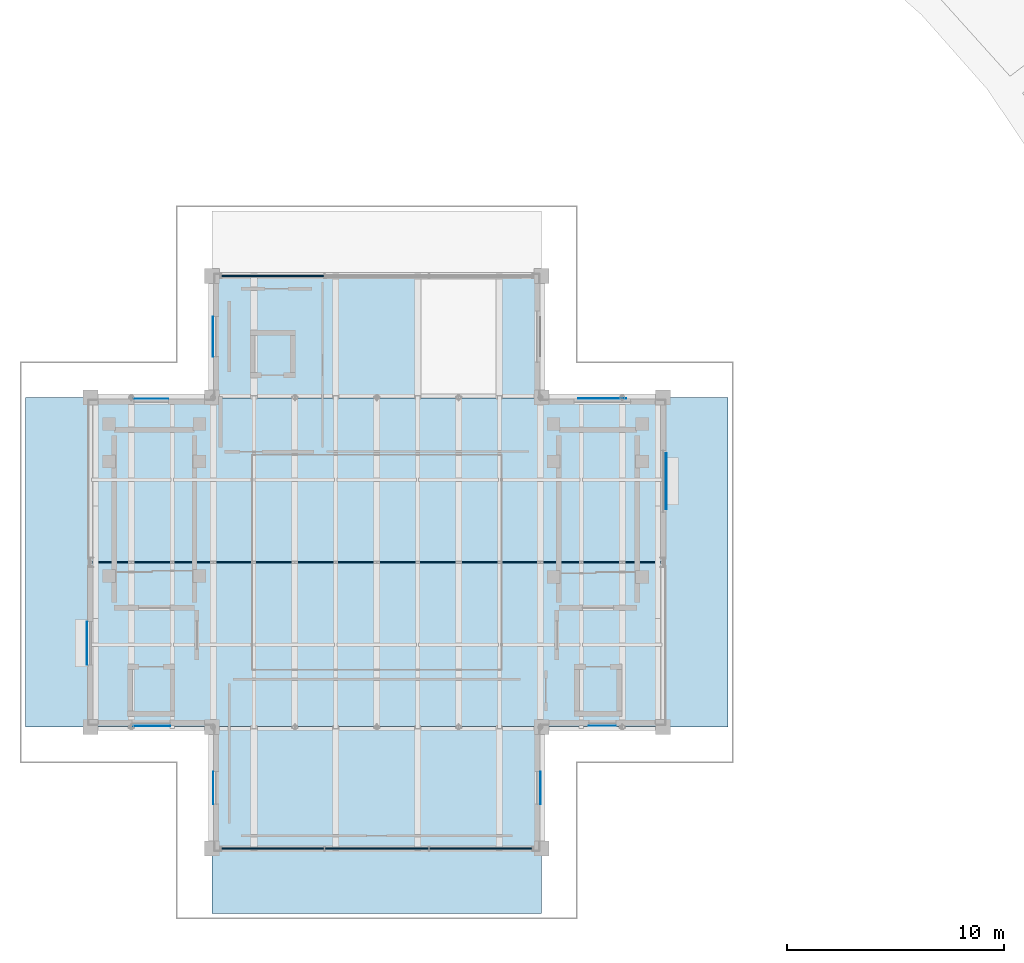
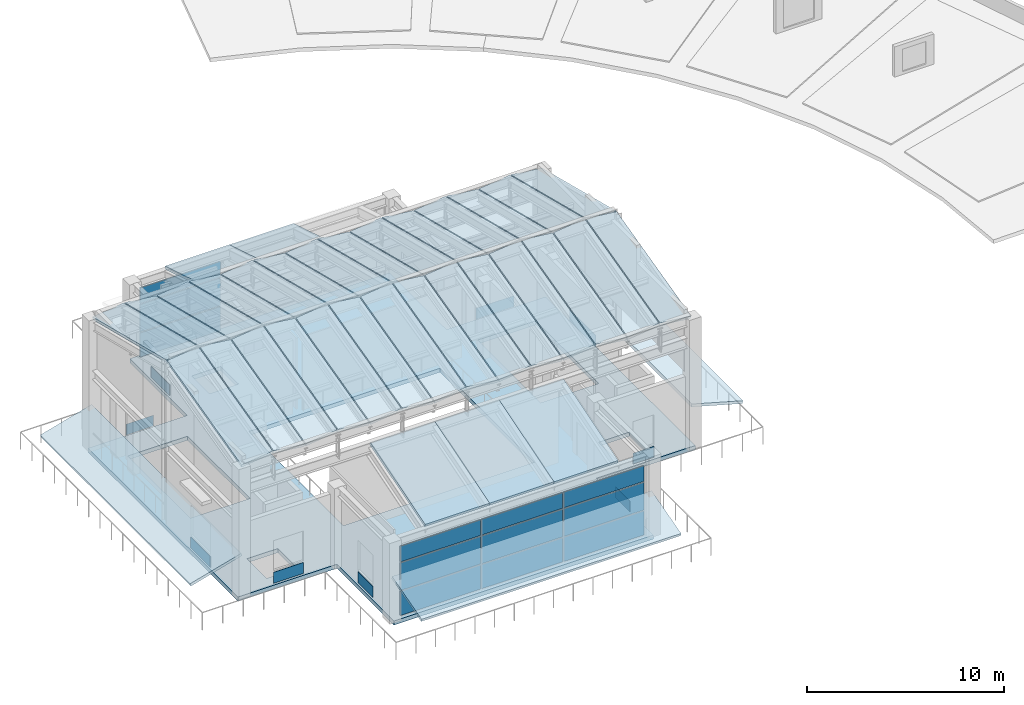
# One storey, part 4 of 11: 37 slabs, 21 plates, 2 elements without a shape of their own.
"""IFC4 building model written with IfcOpenShell, lengths in metres."""

from ifc_helpers import new_model, si_unit, direction, frame, origin, origin_2d, place, context, subcontext, project, spatial, polyline, rectangle, outline, extrude, material, layer, layer_set, type_object, element, aggregate, save


model = new_model("IFC4")

# Units and contexts
model_context = context("Model", 3, precision=1e-05, world=origin(), true_north=direction((0.0, 1.0)))
body_context = subcontext(model_context, "Body", "Model", "MODEL_VIEW")
ifc_project = project(units=[si_unit("LENGTHUNIT", "METRE"), si_unit("AREAUNIT", "SQUARE_METRE"), si_unit("VOLUMEUNIT", "CUBIC_METRE"), si_unit("PLANEANGLEUNIT", "RADIAN"), si_unit("MASSUNIT", "GRAM", prefix="KILO")], contexts=[model_context])

# Site, building, storey
site_placement = place(None, origin())
site = spatial("IfcSite", under=ifc_project, at=site_placement, CompositionType="ELEMENT")
building_placement = place(site_placement, origin())
building = spatial("IfcBuilding", under=site, at=building_placement, Name="Saryqyr Civic Hall", CompositionType="ELEMENT")
storey_placement = place(building_placement, frame((0.0, 0.0, 29.39990234375)))
storey = spatial("IfcBuildingStorey", under=building, at=storey_placement, Name="L07", CompositionType="ELEMENT", Elevation=29.39990234375)

# Curtain wall, plates
ifc_material_1 = material(Name="Anodised aluminium and triple low-E glass", Category="aluminium")
curtain_wall_type = type_object("IfcCurtainWallType", Name="ENV-CW-HVY-50", PredefinedType="NOTDEFINED", material=ifc_material_1)
curtain_wall_1_placement = place(storey_placement, origin())
curtain_wall_1 = element("IfcCurtainWall", 1, at=curtain_wall_1_placement, inside=storey, type_object=curtain_wall_type, Name="Curtain wall V1-CW-L07-05", PredefinedType="NOTDEFINED")
ifc_material_2 = material(Name="Acoustic laminated low-E glazing", Category="glass")
ifc_layer_1 = layer(ifc_material_2, 0.072021484375, Name="Acoustic laminated low-E glazing")
ifc_layer_set_1 = layer_set([ifc_layer_1], Name="Acoustic laminated low-E glazing")
plate_type_1 = type_object("IfcPlateType", Name="ENV-CW-PNL-52", PredefinedType="CURTAIN_PANEL", material=ifc_layer_set_1)
plate_1_placement = place(storey_placement, frame((52.2109375, 97.199951171875, 0.0703125), z_axis=(0.0, 0.0, 1.0), x_axis=(1.0, 0.0, 0.0)))
plate_1 = element("IfcPlate", 2, at=plate_1_placement, type_object=plate_type_1, Name="CW-50 panel 1.1", PredefinedType="CURTAIN_PANEL", context=body_context, shape_type="SweptSolid", body=[
    extrude(rectangle(XDim=4.70166015625, YDim=0.072021484375, at=origin_2d()), origin(), (0.0, 0.0, 1.0), 1.488037109375),
])
plate_2_placement = place(storey_placement, frame((52.2109375, 97.199951171875, 1.6279296875), z_axis=(0.0, 0.0, 1.0), x_axis=(1.0, 0.0, 0.0)))
plate_2 = element("IfcPlate", 3, at=plate_2_placement, type_object=plate_type_1, Name="CW-50 panel 1.2", PredefinedType="CURTAIN_PANEL", context=body_context, shape_type="SweptSolid", body=[
    extrude(rectangle(XDim=4.70166015625, YDim=0.072021484375, at=origin_2d()), origin(), (0.0, 0.0, 1.0), 1.699951171875),
])
plate_3_placement = place(storey_placement, frame((52.2109375, 97.199951171875, 3.398193359375), z_axis=(0.0, 0.0, 1.0), x_axis=(1.0, 0.0, 0.0)))
plate_3 = element("IfcPlate", 4, at=plate_3_placement, type_object=plate_type_1, Name="CW-50 panel 1.3", PredefinedType="CURTAIN_PANEL", context=body_context, shape_type="SweptSolid", body=[
    extrude(rectangle(XDim=4.70166015625, YDim=0.072021484375, at=origin_2d()), origin(), (0.0, 0.0, 1.0), 0.95703125),
])
aggregate(curtain_wall_1, [plate_1, plate_2, plate_3])

curtain_wall_2_placement = place(storey_placement, origin())
curtain_wall_2 = element("IfcCurtainWall", 5, at=curtain_wall_2_placement, inside=storey, type_object=curtain_wall_type, Name="Curtain wall V1-CW-L07-11", PredefinedType="NOTDEFINED")
plate_4_placement = place(storey_placement, frame((61.7890625, 70.800048828125, 0.0703125), z_axis=(0.0, 0.0, 1.0), x_axis=(-1.0, 0.0, 0.0)))
plate_4 = element("IfcPlate", 6, at=plate_4_placement, type_object=plate_type_1, Name="CW-50 panel 1.1", PredefinedType="CURTAIN_PANEL", context=body_context, shape_type="SweptSolid", body=[
    extrude(rectangle(XDim=4.70166015625, YDim=0.072021484375, at=origin_2d()), origin(), (0.0, 0.0, 1.0), 1.488037109375),
])
plate_5_placement = place(storey_placement, frame((61.7890625, 70.800048828125, 1.6279296875), z_axis=(0.0, 0.0, 1.0), x_axis=(-1.0, 0.0, 0.0)))
plate_5 = element("IfcPlate", 7, at=plate_5_placement, type_object=plate_type_1, Name="CW-50 panel 1.2", PredefinedType="CURTAIN_PANEL", context=body_context, shape_type="SweptSolid", body=[
    extrude(rectangle(XDim=4.70166015625, YDim=0.072021484375, at=origin_2d()), origin(), (0.0, 0.0, 1.0), 1.699951171875),
])
plate_6_placement = place(storey_placement, frame((61.7890625, 70.800048828125, 3.398193359375), z_axis=(0.0, 0.0, 1.0), x_axis=(-1.0, 0.0, 0.0)))
plate_6 = element("IfcPlate", 8, at=plate_6_placement, type_object=plate_type_1, Name="CW-50 panel 1.3", PredefinedType="CURTAIN_PANEL", context=body_context, shape_type="SweptSolid", body=[
    extrude(rectangle(XDim=4.70166015625, YDim=0.072021484375, at=origin_2d()), origin(), (0.0, 0.0, 1.0), 0.95703125),
])
plate_7_placement = place(storey_placement, frame((57.0, 70.800048828125, 0.0703125), z_axis=(0.0, 0.0, 1.0), x_axis=(-1.0, 0.0, 0.0)))
plate_7 = element("IfcPlate", 9, at=plate_7_placement, type_object=plate_type_1, Name="CW-50 panel 2.1", PredefinedType="CURTAIN_PANEL", context=body_context, shape_type="SweptSolid", body=[
    extrude(rectangle(XDim=4.736572265625, YDim=0.072021484375, at=origin_2d()), origin(), (0.0, 0.0, 1.0), 1.488037109375),
])
plate_8_placement = place(storey_placement, frame((57.0, 70.800048828125, 1.6279296875), z_axis=(0.0, 0.0, 1.0), x_axis=(-1.0, 0.0, 0.0)))
plate_8 = element("IfcPlate", 10, at=plate_8_placement, type_object=plate_type_1, Name="CW-50 panel 2.2", PredefinedType="CURTAIN_PANEL", context=body_context, shape_type="SweptSolid", body=[
    extrude(rectangle(XDim=4.736572265625, YDim=0.072021484375, at=origin_2d()), origin(), (0.0, 0.0, 1.0), 1.699951171875),
])
plate_9_placement = place(storey_placement, frame((57.0, 70.800048828125, 3.398193359375), z_axis=(0.0, 0.0, 1.0), x_axis=(-1.0, 0.0, 0.0)))
plate_9 = element("IfcPlate", 11, at=plate_9_placement, type_object=plate_type_1, Name="CW-50 panel 2.3", PredefinedType="CURTAIN_PANEL", context=body_context, shape_type="SweptSolid", body=[
    extrude(rectangle(XDim=4.736572265625, YDim=0.072021484375, at=origin_2d()), origin(), (0.0, 0.0, 1.0), 0.95703125),
])
plate_10_placement = place(storey_placement, frame((52.2109375, 70.800048828125, 0.0703125), z_axis=(0.0, 0.0, 1.0), x_axis=(-1.0, 0.0, 0.0)))
plate_10 = element("IfcPlate", 12, at=plate_10_placement, type_object=plate_type_1, Name="CW-50 panel 3.1", PredefinedType="CURTAIN_PANEL", context=body_context, shape_type="SweptSolid", body=[
    extrude(rectangle(XDim=4.70166015625, YDim=0.072021484375, at=origin_2d()), origin(), (0.0, 0.0, 1.0), 1.488037109375),
])
plate_11_placement = place(storey_placement, frame((52.2109375, 70.800048828125, 1.6279296875), z_axis=(0.0, 0.0, 1.0), x_axis=(-1.0, 0.0, 0.0)))
plate_11 = element("IfcPlate", 13, at=plate_11_placement, type_object=plate_type_1, Name="CW-50 panel 3.2", PredefinedType="CURTAIN_PANEL", context=body_context, shape_type="SweptSolid", body=[
    extrude(rectangle(XDim=4.70166015625, YDim=0.072021484375, at=origin_2d()), origin(), (0.0, 0.0, 1.0), 1.699951171875),
])
plate_12_placement = place(storey_placement, frame((52.2109375, 70.800048828125, 3.398193359375), z_axis=(0.0, 0.0, 1.0), x_axis=(-1.0, 0.0, 0.0)))
plate_12 = element("IfcPlate", 14, at=plate_12_placement, type_object=plate_type_1, Name="CW-50 panel 3.3", PredefinedType="CURTAIN_PANEL", context=body_context, shape_type="SweptSolid", body=[
    extrude(rectangle(XDim=4.70166015625, YDim=0.072021484375, at=origin_2d()), origin(), (0.0, 0.0, 1.0), 0.95703125),
])
aggregate(curtain_wall_2, [plate_4, plate_5, plate_6, plate_7, plate_8, plate_9, plate_10, plate_11, plate_12])

# Plates
ifc_material_3 = material(Name="Warm brushed brass-anodised aluminium", Category="aluminium")
ifc_layer_2 = layer(ifc_material_3, 0.008056640625, Name="Warm brushed brass-anodised aluminium")
ifc_layer_set_2 = layer_set([ifc_layer_2], Name="Warm brushed brass-anodised aluminium")
plate_type_2 = type_object("IfcPlateType", Name="ENV-PLT-BRASS-1", PredefinedType="SHEET", material=ifc_layer_set_2)
plate_13_placement = place(storey_placement, frame((49.462890625, 73.60009765625, 0.080078125), z_axis=(0.0, 0.0, 1.0), x_axis=(0.0, 1.0, 0.0)))
element("IfcPlate", 15, at=plate_13_placement, inside=storey, type_object=plate_type_2, Name="Warm brass spandrel cladding sheet L07-00", PredefinedType="SHEET", context=body_context, shape_type="SweptSolid", body=[
    extrude(rectangle(XDim=1.5, YDim=0.008056640625, at=origin_2d()), origin(), (0.0, 0.0, 1.0), 0.679931640625),
])
plate_14_placement = place(storey_placement, frame((46.60009765625, 91.537109375, 0.080078125), z_axis=(0.0, 0.0, 1.0), x_axis=(1.0, 0.0, 0.0)))
element("IfcPlate", 16, at=plate_14_placement, inside=storey, type_object=plate_type_2, Name="Warm brass spandrel cladding sheet L07-03", PredefinedType="SHEET", context=body_context, shape_type="SweptSolid", body=[
    extrude(rectangle(XDim=1.60009765625, YDim=0.008056640625, at=origin_2d()), origin(), (0.0, 0.0, 1.0), 0.679931640625),
])
plate_15_placement = place(storey_placement, frame((67.39990234375, 76.462890625, 0.080078125), z_axis=(0.0, 0.0, 1.0), x_axis=(-1.0, 0.0, 0.0)))
element("IfcPlate", 17, at=plate_15_placement, inside=storey, type_object=plate_type_2, Name="Warm brass spandrel cladding sheet L07-09", PredefinedType="SHEET", context=body_context, shape_type="SweptSolid", body=[
    extrude(rectangle(XDim=1.25, YDim=0.008056640625, at=origin_2d()), origin(), (0.0, 0.0, 1.0), 0.679931640625),
])
ifc_layer_3 = layer(ifc_material_3, 0.02001953125, Name="Warm brushed brass-anodised aluminium")
ifc_layer_set_3 = layer_set([ifc_layer_3], Name="Warm brushed brass-anodised aluminium")
plate_type_3 = type_object("IfcPlateType", Name="ENV-PLT-BRASS-2", PredefinedType="SHEET", material=ifc_layer_set_3)
plate_16_placement = place(storey_placement, frame((46.60009765625, 76.45703125, 0.080078125), z_axis=(0.0, 0.0, 1.0), x_axis=(-1.0, 0.0, 0.0)))
element("IfcPlate", 18, at=plate_16_placement, inside=storey, type_object=plate_type_3, Name="Warm brass spandrel cladding sheet L07-01", PredefinedType="SHEET", context=body_context, shape_type="SweptSolid", body=[
    extrude(rectangle(XDim=1.75, YDim=0.02001953125, at=origin_2d()), origin(), (0.0, 0.0, 1.0), 0.679931640625),
])
plate_17_placement = place(storey_placement, frame((49.45703125, 94.39990234375, 0.080078125), z_axis=(0.0, 0.0, 1.0), x_axis=(0.0, 1.0, 0.0)))
element("IfcPlate", 19, at=plate_17_placement, inside=storey, type_object=plate_type_3, Name="Warm brass spandrel cladding sheet L07-04", PredefinedType="SHEET", context=body_context, shape_type="SweptSolid", body=[
    extrude(rectangle(XDim=1.85009765625, YDim=0.02001953125, at=origin_2d()), origin(), (0.0, 0.0, 1.0), 0.679931640625),
])
plate_18_placement = place(storey_placement, frame((67.39990234375, 91.54296875, 0.080078125), z_axis=(0.0, 0.0, 1.0), x_axis=(1.0, 0.0, 0.0)))
element("IfcPlate", 20, at=plate_18_placement, inside=storey, type_object=plate_type_3, Name="Warm brass spandrel cladding sheet L07-07", PredefinedType="SHEET", context=body_context, shape_type="SweptSolid", body=[
    extrude(rectangle(XDim=2.199951171875, YDim=0.02001953125, at=origin_2d()), origin(), (0.0, 0.0, 1.0), 0.679931640625),
])
plate_19_placement = place(storey_placement, frame((64.54296875, 73.60009765625, 0.080078125), z_axis=(0.0, 0.0, 1.0), x_axis=(0.0, -1.0, 0.0)))
element("IfcPlate", 21, at=plate_19_placement, inside=storey, type_object=plate_type_3, Name="Warm brass spandrel cladding sheet L07-10", PredefinedType="SHEET", context=body_context, shape_type="SweptSolid", body=[
    extrude(rectangle(XDim=1.5, YDim=0.02001953125, at=origin_2d()), origin(), (0.0, 0.0, 1.0), 0.679931640625),
])
ifc_layer_4 = layer(ifc_material_3, 0.031982421875, Name="Warm brushed brass-anodised aluminium")
ifc_layer_set_4 = layer_set([ifc_layer_4], Name="Warm brushed brass-anodised aluminium")
plate_type_4 = type_object("IfcPlateType", Name="ENV-PLT-BRASS-3", PredefinedType="SHEET", material=ifc_layer_set_4)
plate_20_placement = place(storey_placement, frame((43.65087890625, 80.26708984375, 0.080078125), z_axis=(0.0, 0.0, 1.0), x_axis=(0.0, 1.0, 0.0)))
element("IfcPlate", 22, at=plate_20_placement, inside=storey, type_object=plate_type_4, Name="Warm brass spandrel cladding sheet L07-02", PredefinedType="SHEET", context=body_context, shape_type="SweptSolid", body=[
    extrude(rectangle(XDim=2.0, YDim=0.031982421875, at=origin_2d()), origin(), (0.0, 0.0, 1.0), 0.679931640625),
])
plate_21_placement = place(storey_placement, frame((70.34912109375, 87.73291015625, 0.080078125), z_axis=(0.0, 0.0, 1.0), x_axis=(0.0, -1.0, 0.0)))
element("IfcPlate", 23, at=plate_21_placement, inside=storey, type_object=plate_type_4, Name="Warm brass spandrel cladding sheet L07-08", PredefinedType="SHEET", context=body_context, shape_type="SweptSolid", body=[
    extrude(rectangle(XDim=2.60009765625, YDim=0.031982421875, at=origin_2d()), origin(), (0.0, 0.0, 1.0), 0.679931640625),
])

# Slabs
ifc_material_4 = material(Name="Concrete C35/45", Category="concrete")
ifc_layer_5 = layer(ifc_material_4, 0.25, Name="Concrete C35/45")
ifc_layer_set_5 = layer_set([ifc_layer_5], Name="Concrete C35/45")
slab_type_1 = type_object("IfcSlabType", Name="STR-SLB-FLR-250", PredefinedType="FLOOR", material=ifc_layer_set_5)
slab_1_placement = place(storey_placement, frame((0.0, 0.0, -0.25)))
element("IfcSlab", 24, at=slab_1_placement, inside=storey, type_object=slab_type_1, Name="Slab SLB-V1-L07", PredefinedType="FLOOR", context=body_context, shape_type="SweptSolid", body=[
    extrude(outline(polyline([(43.60009765625, 76.39990234375), (43.60009765625, 91.60009765625), (49.39990234375, 91.60009765625), (49.39990234375, 97.39990234375), (64.60009765625, 97.39990234375), (64.60009765625, 91.60009765625), (70.39990234375, 91.60009765625), (70.39990234375, 76.39990234375), (64.60009765625, 76.39990234375), (64.60009765625, 70.60009765625), (49.39990234375, 70.60009765625), (49.39990234375, 76.39990234375), (43.60009765625, 76.39990234375)]), holes=[polyline([(62.60009765625, 88.800048828125), (51.39990234375, 88.800048828125), (51.39990234375, 79.199951171875), (62.60009765625, 79.199951171875), (62.60009765625, 88.800048828125)]), polyline([(45.699951171875, 79.10009765625), (45.699951171875, 77.10009765625), (47.5, 77.10009765625), (47.5, 79.10009765625), (45.699951171875, 79.10009765625)]), polyline([(66.300048828125, 79.10009765625), (66.300048828125, 77.10009765625), (68.10009765625, 77.10009765625), (68.10009765625, 79.10009765625), (66.300048828125, 79.10009765625)]), polyline([(65.5, 83.60009765625), (68.89990234375, 83.60009765625), (68.89990234375, 90.0), (65.5, 90.0), (65.5, 83.60009765625)]), polyline([(45.0, 90.0), (45.0, 83.64990234375), (48.5, 83.64990234375), (48.5, 90.0), (45.0, 90.0)]), polyline([(53.050048828125, 94.5), (51.35009765625, 94.5), (51.35009765625, 92.699951171875), (53.050048828125, 92.699951171875), (53.050048828125, 94.5)])]), origin(), (0.0, 0.0, 1.0), 0.25),
])
ifc_material_5 = material(Name="Precast concrete C40/50", Category="concrete")
ifc_layer_6 = layer(ifc_material_5, 0.169921875, Name="Precast concrete C40/50")
ifc_layer_set_6 = layer_set([ifc_layer_6], Name="Precast concrete C40/50")
slab_type_2 = type_object("IfcSlabType", Name="STR-SLB-ROOF-170", PredefinedType="ROOF", material=ifc_layer_set_6)
for number, where, z_axis, x_axis, name in (
    (25, (49.39990234375, 67.800048828125, 1.800048828125), (0.0, -0.269656086049, 0.962956694383), (1.0, 0.0, 0.0), "Chamber ring-beam valley skirt roof S"),
    (26, (40.800048828125, 91.60009765625, 1.800048828125), (-0.269656086049, 0.0, 0.962956694383), (0.0, -1.0, 0.0), "Chamber ring-beam valley skirt roof W"),
    (27, (73.199951171875, 76.39990234375, 1.800048828125), (0.269656086049, 0.0, 0.962956694383), (0.0, 1.0, 0.0), "Chamber ring-beam valley skirt roof E"),
):
    element("IfcSlab", number, at=place(storey_placement, frame(where, z_axis=z_axis, x_axis=x_axis)), inside=storey, type_object=slab_type_2, Name=name, PredefinedType="ROOF", context=body_context, shape_type="SweptSolid", body=[
        extrude(outline(polyline([(0.0, 0.0), (15.2001953125, 0.0), (15.2001953125, 3.1154048956716305), (0.0, 3.1154048956716305), (0.0, 0.0)])), origin(), (0.0, 0.0, -1.0), 0.169921875),
    ])
ifc_layer_7 = layer(ifc_material_5, 0.18994140625, Name="Precast concrete C40/50")
ifc_layer_set_7 = layer_set([ifc_layer_7], Name="Precast concrete C40/50")
slab_type_3 = type_object("IfcSlabType", Name="STR-SLB-ROOF-190", PredefinedType="ROOF", material=ifc_layer_set_7)
slab_2_placement = place(storey_placement, frame((43.830078125, 76.429931640625, 8.080078125), z_axis=(-0.116108571598, -0.242699900121, 0.963128007111), x_axis=(0.992812134124, -1.5517026e-05, 0.119683190528)))
element("IfcSlab", 28, at=slab_2_placement, inside=storey, type_object=slab_type_3, Name="Chamber folded-plate roof slab SUW bay 1", PredefinedType="ROOF", context=body_context, shape_type="SweptSolid", body=[
    extrude(outline(polyline([(0.0, 0.0), (1.8388876205191749, 1.3877787807814457e-17), (2.0661862152603843, 7.772456565405475), (0.22726937521227175, 7.77239773796225), (0.0, 0.0)])), origin(), (0.0, 0.0, -1.0), 0.18994140625),
])
for number, where, z_axis, x_axis, name in (
    (29, (45.7158203125, 76.429931640625, 8.300048828125), (0.116108571598, -0.242699900121, 0.963128007111), (0.992812134124, 1.5517026e-05, -0.119683190528), "Chamber folded-plate roof slab SUE bay 1"),
    (30, (45.65576171875, 91.570068359375, 8.300048828125), (-0.116108571598, 0.242699900121, 0.963128007111), (-0.992812134124, -1.5517026e-05, -0.119683190528), "Chamber folded-plate roof slab NUW bay 1"),
):
    element("IfcSlab", number, at=place(storey_placement, frame(where, z_axis=z_axis, x_axis=x_axis)), inside=storey, type_object=slab_type_3, Name=name, PredefinedType="ROOF", context=body_context, shape_type="SweptSolid", body=[
        extrude(outline(polyline([(0.0, 0.0), (1.8388876205191749, -1.3877787807814457e-17), (1.611618245306903, 7.772397737962249), (-0.22729859474120925, 7.772456565405475), (0.0, 0.0)])), origin(), (0.0, 0.0, -1.0), 0.18994140625),
    ])
for number, where, z_axis, x_axis, name in (
    (31, (47.54150390625, 91.570068359375, 8.080078125), (0.116108571598, 0.242699900121, 0.963128007111), (-0.992812134124, 1.5517026e-05, 0.119683190528), "Chamber folded-plate roof slab NUE bay 1"),
    (32, (47.601318359375, 76.429931640625, 8.080078125), (-0.116108571598, -0.242699900121, 0.963128007111), (0.992812134124, -1.5517026e-05, 0.119683190528), "Chamber folded-plate roof slab SUW bay 2"),
):
    element("IfcSlab", number, at=place(storey_placement, frame(where, z_axis=z_axis, x_axis=x_axis)), inside=storey, type_object=slab_type_3, Name=name, PredefinedType="ROOF", context=body_context, shape_type="SweptSolid", body=[
        extrude(outline(polyline([(0.0, 0.0), (1.8388876205191749, 1.3877787807814457e-17), (2.0661862152603843, 7.772456565405475), (0.22726937521227175, 7.77239773796225), (0.0, 0.0)])), origin(), (0.0, 0.0, -1.0), 0.18994140625),
    ])
for number, where, z_axis, x_axis, name in (
    (33, (49.487060546875, 76.429931640625, 8.300048828125), (0.116108571598, -0.242699900121, 0.963128007111), (0.992812134124, 1.5517026e-05, -0.119683190528), "Chamber folded-plate roof slab SUE bay 2"),
    (34, (49.427001953125, 91.570068359375, 8.300048828125), (-0.116108571598, 0.242699900121, 0.963128007111), (-0.992812134124, -1.5517026e-05, -0.119683190528), "Chamber folded-plate roof slab NUW bay 2"),
):
    element("IfcSlab", number, at=place(storey_placement, frame(where, z_axis=z_axis, x_axis=x_axis)), inside=storey, type_object=slab_type_3, Name=name, PredefinedType="ROOF", context=body_context, shape_type="SweptSolid", body=[
        extrude(outline(polyline([(0.0, 0.0), (1.8388876205191749, -1.3877787807814457e-17), (1.611618245306903, 7.772397737962249), (-0.22729859474120925, 7.772456565405475), (0.0, 0.0)])), origin(), (0.0, 0.0, -1.0), 0.18994140625),
    ])
for number, where, z_axis, x_axis, name in (
    (35, (51.312744140625, 91.570068359375, 8.080078125), (0.116108571598, 0.242699900121, 0.963128007111), (-0.992812134124, 1.5517026e-05, 0.119683190528), "Chamber folded-plate roof slab NUE bay 2"),
    (36, (51.372802734375, 76.429931640625, 8.080078125), (-0.116108571598, -0.242699900121, 0.963128007111), (0.992812134124, -1.5517026e-05, 0.119683190528), "Chamber folded-plate roof slab SUW bay 3"),
):
    element("IfcSlab", number, at=place(storey_placement, frame(where, z_axis=z_axis, x_axis=x_axis)), inside=storey, type_object=slab_type_3, Name=name, PredefinedType="ROOF", context=body_context, shape_type="SweptSolid", body=[
        extrude(outline(polyline([(0.0, 0.0), (1.8388876205191749, 1.3877787807814457e-17), (2.0661862152603843, 7.772456565405475), (0.22726937521227175, 7.77239773796225), (0.0, 0.0)])), origin(), (0.0, 0.0, -1.0), 0.18994140625),
    ])
slab_3_placement = place(storey_placement, frame((53.258544921875, 76.429931640625, 8.300048828125), z_axis=(0.116108571598, -0.242699900121, 0.963128007111), x_axis=(0.992812134124, 1.5517026e-05, -0.119683190528)))
element("IfcSlab", 37, at=slab_3_placement, inside=storey, type_object=slab_type_3, Name="Chamber folded-plate roof slab SUE bay 3", PredefinedType="ROOF", context=body_context, shape_type="SweptSolid", body=[
    extrude(outline(polyline([(0.0, 0.0), (1.8388876205191749, -1.3877787807814457e-17), (1.611618245306903, 7.772397737962249), (-0.22729859474120925, 7.772456565405475), (0.0, 0.0)])), origin(), (0.0, 0.0, -1.0), 0.18994140625),
])
slab_4_placement = place(storey_placement, frame((51.343017578125, 70.800048828125, 5.18017578125), z_axis=(0.0, -0.290480921523, 0.956880783709), x_axis=(1.0, 0.0, 0.0)))
element("IfcSlab", 38, at=slab_4_placement, inside=storey, type_object=slab_type_3, Name="Chamber lower folded roof slab S bay 3", PredefinedType="ROOF", context=body_context, shape_type="SweptSolid", body=[
    extrude(outline(polyline([(0.0, 0.0), (3.771240234375, 0.0), (3.771240234375, 5.852195603636028), (0.0, 5.852195603636028), (0.0, 0.0)])), origin(), (0.0, 0.0, -1.0), 0.18994140625),
])
slab_5_placement = place(storey_placement, frame((53.198486328125, 91.570068359375, 8.300048828125), z_axis=(-0.116108571598, 0.242699900121, 0.963128007111), x_axis=(-0.992812134124, -1.5517026e-05, -0.119683190528)))
element("IfcSlab", 39, at=slab_5_placement, inside=storey, type_object=slab_type_3, Name="Chamber folded-plate roof slab NUW bay 3", PredefinedType="ROOF", context=body_context, shape_type="SweptSolid", body=[
    extrude(outline(polyline([(0.0, 0.0), (1.8388876205191749, -1.3877787807814457e-17), (1.611618245306903, 7.772397737962249), (-0.22729859474120925, 7.772456565405475), (0.0, 0.0)])), origin(), (0.0, 0.0, -1.0), 0.18994140625),
])
slab_6_placement = place(storey_placement, frame((55.084228515625, 91.570068359375, 8.080078125), z_axis=(0.116108571598, 0.242699900121, 0.963128007111), x_axis=(-0.992812134124, 1.5517026e-05, 0.119683190528)))
element("IfcSlab", 40, at=slab_6_placement, inside=storey, type_object=slab_type_3, Name="Chamber folded-plate roof slab NUE bay 3", PredefinedType="ROOF", context=body_context, shape_type="SweptSolid", body=[
    extrude(outline(polyline([(0.0, 0.0), (1.8388876205191749, 1.3877787807814457e-17), (2.0661862152603843, 7.772456565405475), (0.22726937521227175, 7.77239773796225), (0.0, 0.0)])), origin(), (0.0, 0.0, -1.0), 0.18994140625),
])
slab_7_placement = place(storey_placement, frame((55.1142578125, 97.199951171875, 5.18017578125), z_axis=(0.0, 0.290480921523, 0.956880783709), x_axis=(-1.0, 0.0, 0.0)))
element("IfcSlab", 41, at=slab_7_placement, inside=storey, type_object=slab_type_3, Name="Chamber lower folded roof slab N bay 3", PredefinedType="ROOF", context=body_context, shape_type="SweptSolid", body=[
    extrude(outline(polyline([(0.0, 0.0), (3.771240234375, 0.0), (3.771240234375, 5.852195603636028), (0.0, 5.852195603636028), (0.0, 0.0)])), origin(), (0.0, 0.0, -1.0), 0.18994140625),
])
slab_8_placement = place(storey_placement, frame((55.144287109375, 76.429931640625, 8.080078125), z_axis=(-0.116108571598, -0.242699900121, 0.963128007111), x_axis=(0.992812134124, -1.5517026e-05, 0.119683190528)))
element("IfcSlab", 42, at=slab_8_placement, inside=storey, type_object=slab_type_3, Name="Chamber folded-plate roof slab SUW bay 4", PredefinedType="ROOF", context=body_context, shape_type="SweptSolid", body=[
    extrude(outline(polyline([(0.0, 0.0), (1.8388876205191749, 1.3877787807814457e-17), (2.0661862152603843, 7.772456565405475), (0.22726937521227175, 7.77239773796225), (0.0, 0.0)])), origin(), (0.0, 0.0, -1.0), 0.18994140625),
])
slab_9_placement = place(storey_placement, frame((57.030029296875, 76.429931640625, 8.300048828125), z_axis=(0.116108571598, -0.242699900121, 0.963128007111), x_axis=(0.992812134124, 1.5517026e-05, -0.119683190528)))
element("IfcSlab", 43, at=slab_9_placement, inside=storey, type_object=slab_type_3, Name="Chamber folded-plate roof slab SUE bay 4", PredefinedType="ROOF", context=body_context, shape_type="SweptSolid", body=[
    extrude(outline(polyline([(0.0, 0.0), (1.8388876205191749, -1.3877787807814457e-17), (1.611618245306903, 7.772397737962249), (-0.22729859474120925, 7.772456565405475), (0.0, 0.0)])), origin(), (0.0, 0.0, -1.0), 0.18994140625),
])
slab_10_placement = place(storey_placement, frame((55.1142578125, 70.800048828125, 5.18017578125), z_axis=(0.0, -0.290480921523, 0.956880783709), x_axis=(1.0, 0.0, 0.0)))
element("IfcSlab", 44, at=slab_10_placement, inside=storey, type_object=slab_type_3, Name="Chamber lower folded roof slab S bay 4", PredefinedType="ROOF", context=body_context, shape_type="SweptSolid", body=[
    extrude(outline(polyline([(0.0, 0.0), (3.771484375, 0.0), (3.771484375, 5.852195603636028), (0.0, 5.852195603636028), (0.0, 0.0)])), origin(), (0.0, 0.0, -1.0), 0.18994140625),
])
slab_11_placement = place(storey_placement, frame((56.969970703125, 91.570068359375, 8.300048828125), z_axis=(-0.116108571598, 0.242699900121, 0.963128007111), x_axis=(-0.992812134124, -1.5517026e-05, -0.119683190528)))
element("IfcSlab", 45, at=slab_11_placement, inside=storey, type_object=slab_type_3, Name="Chamber folded-plate roof slab NUW bay 4", PredefinedType="ROOF", context=body_context, shape_type="SweptSolid", body=[
    extrude(outline(polyline([(0.0, 0.0), (1.8388876205191749, -1.3877787807814457e-17), (1.611618245306903, 7.772397737962249), (-0.22729859474120925, 7.772456565405475), (0.0, 0.0)])), origin(), (0.0, 0.0, -1.0), 0.18994140625),
])
slab_12_placement = place(storey_placement, frame((58.855712890625, 91.570068359375, 8.080078125), z_axis=(0.116108571598, 0.242699900121, 0.963128007111), x_axis=(-0.992812134124, 1.5517026e-05, 0.119683190528)))
element("IfcSlab", 46, at=slab_12_placement, inside=storey, type_object=slab_type_3, Name="Chamber folded-plate roof slab NUE bay 4", PredefinedType="ROOF", context=body_context, shape_type="SweptSolid", body=[
    extrude(outline(polyline([(0.0, 0.0), (1.8388876205191749, 1.3877787807814457e-17), (2.0661862152603843, 7.772456565405475), (0.22726937521227175, 7.77239773796225), (0.0, 0.0)])), origin(), (0.0, 0.0, -1.0), 0.18994140625),
])
slab_13_placement = place(storey_placement, frame((58.8857421875, 97.199951171875, 5.18017578125), z_axis=(0.0, 0.290480921523, 0.956880783709), x_axis=(-1.0, 0.0, 0.0)))
element("IfcSlab", 47, at=slab_13_placement, inside=storey, type_object=slab_type_3, Name="Chamber lower folded roof slab N bay 4", PredefinedType="ROOF", context=body_context, shape_type="SweptSolid", body=[
    extrude(outline(polyline([(0.0, 0.0), (3.771484375, 0.0), (3.771484375, 5.852195603636028), (0.0, 5.852195603636028), (0.0, 0.0)])), origin(), (0.0, 0.0, -1.0), 0.18994140625),
])
slab_14_placement = place(storey_placement, frame((58.915771484375, 76.429931640625, 8.080078125), z_axis=(-0.116108571598, -0.242699900121, 0.963128007111), x_axis=(0.992812134124, -1.5517026e-05, 0.119683190528)))
element("IfcSlab", 48, at=slab_14_placement, inside=storey, type_object=slab_type_3, Name="Chamber folded-plate roof slab SUW bay 5", PredefinedType="ROOF", context=body_context, shape_type="SweptSolid", body=[
    extrude(outline(polyline([(0.0, 0.0), (1.8388876205191749, 1.3877787807814457e-17), (2.0661862152603843, 7.772456565405475), (0.22726937521227175, 7.77239773796225), (0.0, 0.0)])), origin(), (0.0, 0.0, -1.0), 0.18994140625),
])
slab_15_placement = place(storey_placement, frame((60.801513671875, 76.429931640625, 8.300048828125), z_axis=(0.116108571598, -0.242699900121, 0.963128007111), x_axis=(0.992812134124, 1.5517026e-05, -0.119683190528)))
element("IfcSlab", 49, at=slab_15_placement, inside=storey, type_object=slab_type_3, Name="Chamber folded-plate roof slab SUE bay 5", PredefinedType="ROOF", context=body_context, shape_type="SweptSolid", body=[
    extrude(outline(polyline([(0.0, 0.0), (1.8388876205191749, -1.3877787807814457e-17), (1.611618245306903, 7.772397737962249), (-0.22729859474120925, 7.772456565405475), (0.0, 0.0)])), origin(), (0.0, 0.0, -1.0), 0.18994140625),
])
slab_16_placement = place(storey_placement, frame((58.8857421875, 70.800048828125, 5.18017578125), z_axis=(0.0, -0.290480921523, 0.956880783709), x_axis=(1.0, 0.0, 0.0)))
element("IfcSlab", 50, at=slab_16_placement, inside=storey, type_object=slab_type_3, Name="Chamber lower folded roof slab S bay 5", PredefinedType="ROOF", context=body_context, shape_type="SweptSolid", body=[
    extrude(outline(polyline([(0.0, 0.0), (3.771240234375, 0.0), (3.771240234375, 5.852195603636028), (0.0, 5.852195603636028), (0.0, 0.0)])), origin(), (0.0, 0.0, -1.0), 0.18994140625),
])
slab_17_placement = place(storey_placement, frame((60.741455078125, 91.570068359375, 8.300048828125), z_axis=(-0.116108571598, 0.242699900121, 0.963128007111), x_axis=(-0.992812134124, -1.5517026e-05, -0.119683190528)))
element("IfcSlab", 51, at=slab_17_placement, inside=storey, type_object=slab_type_3, Name="Chamber folded-plate roof slab NUW bay 5", PredefinedType="ROOF", context=body_context, shape_type="SweptSolid", body=[
    extrude(outline(polyline([(0.0, 0.0), (1.8388876205191749, -1.3877787807814457e-17), (1.611618245306903, 7.772397737962249), (-0.22729859474120925, 7.772456565405475), (0.0, 0.0)])), origin(), (0.0, 0.0, -1.0), 0.18994140625),
])
for number, where, z_axis, x_axis, name in (
    (52, (62.627197265625, 91.570068359375, 8.080078125), (0.116108571598, 0.242699900121, 0.963128007111), (-0.992812134124, 1.5517026e-05, 0.119683190528), "Chamber folded-plate roof slab NUE bay 5"),
    (53, (62.68701171875, 76.429931640625, 8.080078125), (-0.116108571598, -0.242699900121, 0.963128007111), (0.992812134124, -1.5517026e-05, 0.119683190528), "Chamber folded-plate roof slab SUW bay 6"),
):
    element("IfcSlab", number, at=place(storey_placement, frame(where, z_axis=z_axis, x_axis=x_axis)), inside=storey, type_object=slab_type_3, Name=name, PredefinedType="ROOF", context=body_context, shape_type="SweptSolid", body=[
        extrude(outline(polyline([(0.0, 0.0), (1.8388876205191749, 1.3877787807814457e-17), (2.0661862152603843, 7.772456565405475), (0.22726937521227175, 7.77239773796225), (0.0, 0.0)])), origin(), (0.0, 0.0, -1.0), 0.18994140625),
    ])
for number, where, z_axis, x_axis, name in (
    (54, (64.57275390625, 76.429931640625, 8.300048828125), (0.116108571598, -0.242699900121, 0.963128007111), (0.992812134124, 1.5517026e-05, -0.119683190528), "Chamber folded-plate roof slab SUE bay 6"),
    (55, (64.5126953125, 91.570068359375, 8.300048828125), (-0.116108571598, 0.242699900121, 0.963128007111), (-0.992812134124, -1.5517026e-05, -0.119683190528), "Chamber folded-plate roof slab NUW bay 6"),
):
    element("IfcSlab", number, at=place(storey_placement, frame(where, z_axis=z_axis, x_axis=x_axis)), inside=storey, type_object=slab_type_3, Name=name, PredefinedType="ROOF", context=body_context, shape_type="SweptSolid", body=[
        extrude(outline(polyline([(0.0, 0.0), (1.8388876205191749, -1.3877787807814457e-17), (1.611618245306903, 7.772397737962249), (-0.22729859474120925, 7.772456565405475), (0.0, 0.0)])), origin(), (0.0, 0.0, -1.0), 0.18994140625),
    ])
for number, where, z_axis, x_axis, name in (
    (56, (66.3984375, 91.570068359375, 8.080078125), (0.116108571598, 0.242699900121, 0.963128007111), (-0.992812134124, 1.5517026e-05, 0.119683190528), "Chamber folded-plate roof slab NUE bay 6"),
    (57, (66.45849609375, 76.429931640625, 8.080078125), (-0.116108571598, -0.242699900121, 0.963128007111), (0.992812134124, -1.5517026e-05, 0.119683190528), "Chamber folded-plate roof slab SUW bay 7"),
):
    element("IfcSlab", number, at=place(storey_placement, frame(where, z_axis=z_axis, x_axis=x_axis)), inside=storey, type_object=slab_type_3, Name=name, PredefinedType="ROOF", context=body_context, shape_type="SweptSolid", body=[
        extrude(outline(polyline([(0.0, 0.0), (1.8388876205191749, 1.3877787807814457e-17), (2.0661862152603843, 7.772456565405475), (0.22726937521227175, 7.77239773796225), (0.0, 0.0)])), origin(), (0.0, 0.0, -1.0), 0.18994140625),
    ])
for number, where, z_axis, x_axis, name in (
    (58, (68.34423828125, 76.429931640625, 8.300048828125), (0.116108571598, -0.242699900121, 0.963128007111), (0.992812134124, 1.5517026e-05, -0.119683190528), "Chamber folded-plate roof slab SUE bay 7"),
    (59, (68.2841796875, 91.570068359375, 8.300048828125), (-0.116108571598, 0.242699900121, 0.963128007111), (-0.992812134124, -1.5517026e-05, -0.119683190528), "Chamber folded-plate roof slab NUW bay 7"),
):
    element("IfcSlab", number, at=place(storey_placement, frame(where, z_axis=z_axis, x_axis=x_axis)), inside=storey, type_object=slab_type_3, Name=name, PredefinedType="ROOF", context=body_context, shape_type="SweptSolid", body=[
        extrude(outline(polyline([(0.0, 0.0), (1.8388876205191749, -1.3877787807814457e-17), (1.611618245306903, 7.772397737962249), (-0.22729859474120925, 7.772456565405475), (0.0, 0.0)])), origin(), (0.0, 0.0, -1.0), 0.18994140625),
    ])
slab_18_placement = place(storey_placement, frame((70.169921875, 91.570068359375, 8.080078125), z_axis=(0.116108571598, 0.242699900121, 0.963128007111), x_axis=(-0.992812134124, 1.5517026e-05, 0.119683190528)))
element("IfcSlab", 60, at=slab_18_placement, inside=storey, type_object=slab_type_3, Name="Chamber folded-plate roof slab NUE bay 7", PredefinedType="ROOF", context=body_context, shape_type="SweptSolid", body=[
    extrude(outline(polyline([(0.0, 0.0), (1.8388876205191749, 1.3877787807814457e-17), (2.0661862152603843, 7.772456565405475), (0.22726937521227175, 7.77239773796225), (0.0, 0.0)])), origin(), (0.0, 0.0, -1.0), 0.18994140625),
])

save(model, "model.ifc")
